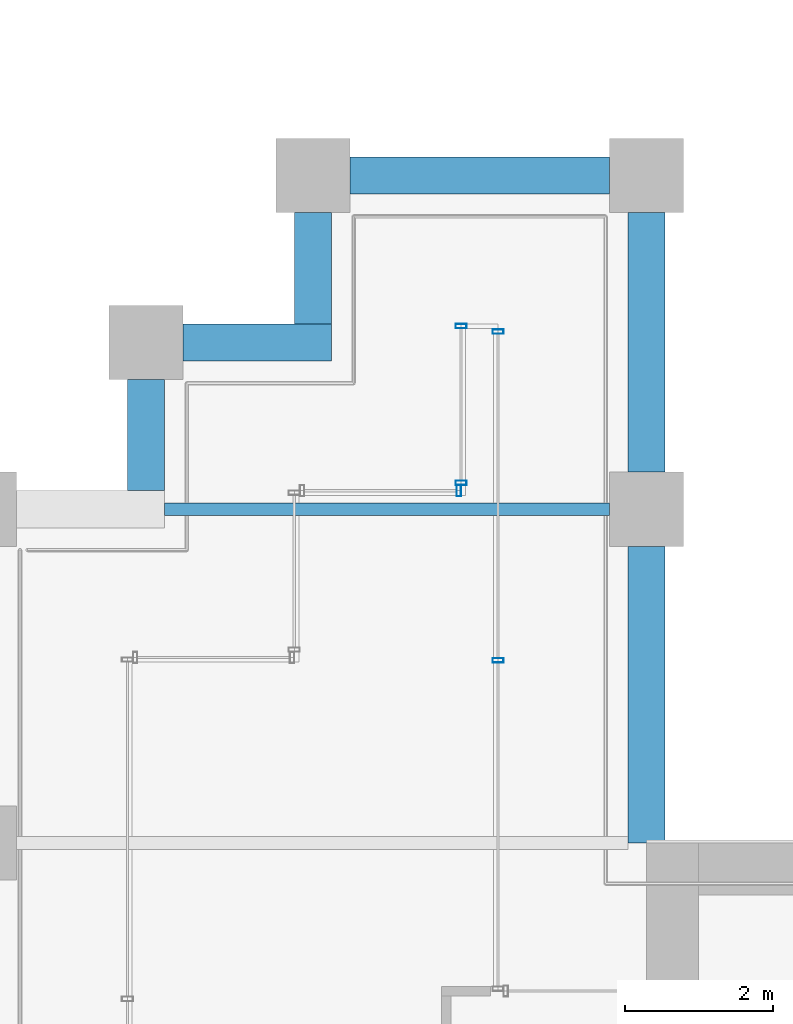
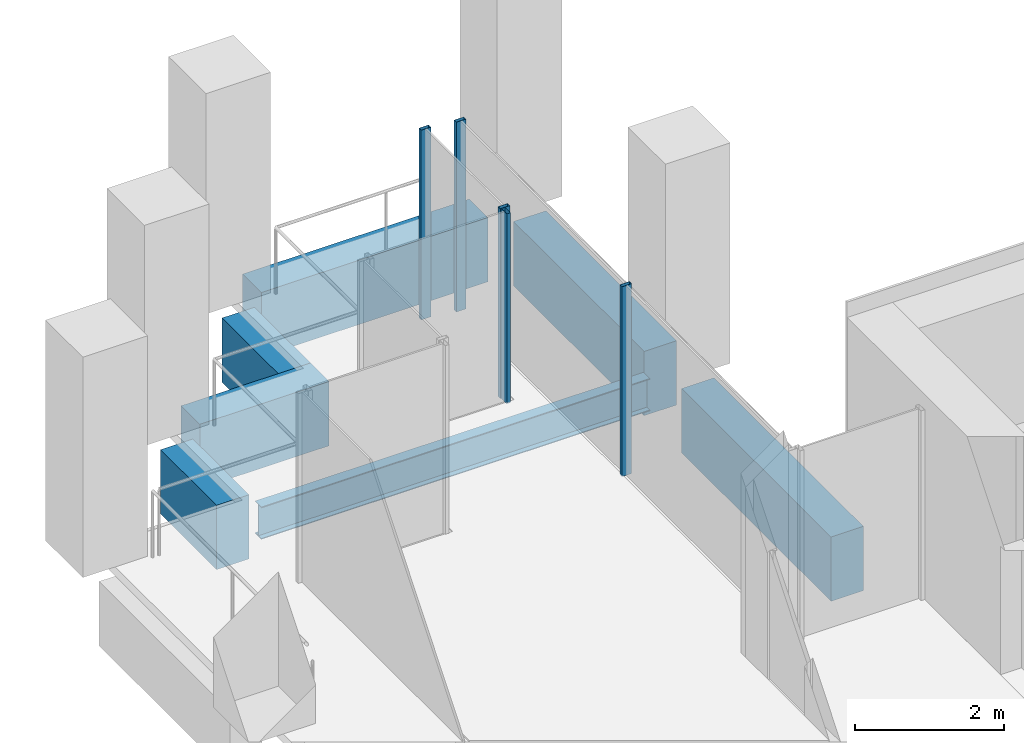
# One storey, part 35 of 47: 7 beams, 5 members, 3 elements without a shape of their own.
"""IFC4 building model written with IfcOpenShell, lengths in metres."""

from ifc_helpers import new_model, si_unit, direction, frame, origin, origin_2d, place, context, subcontext, project, spatial, rectangle, hollow_rectangle, i_section, extrude, material, material_profile, profile_set, type_object, element, aggregate, save


model = new_model("IFC4")

# Units and contexts
model_context = context("Model", 3, precision=1e-05, world=origin(), true_north=direction((0.0, 1.0)))
body_context = subcontext(model_context, "Body", "Model", "MODEL_VIEW")
ifc_project = project(units=[si_unit("LENGTHUNIT", "METRE"), si_unit("AREAUNIT", "SQUARE_METRE"), si_unit("VOLUMEUNIT", "CUBIC_METRE"), si_unit("PLANEANGLEUNIT", "RADIAN"), si_unit("MASSUNIT", "GRAM", prefix="KILO")], contexts=[model_context])

# Site, building, storey
site_placement = place(None, origin())
site = spatial("IfcSite", under=ifc_project, at=site_placement, CompositionType="ELEMENT")
building_placement = place(site_placement, origin())
building = spatial("IfcBuilding", under=site, at=building_placement, Name="Altepetl Exchange Towers", CompositionType="ELEMENT")
storey_placement = place(building_placement, frame((0.0, 0.0, 95.60009765625)))
storey = spatial("IfcBuildingStorey", under=building, at=storey_placement, Name="L23", CompositionType="ELEMENT", Elevation=95.60009765625)

# Beam
ifc_material_1 = material(Name="Steel S355", Category="steel")
ifc_material_profile_1 = material_profile(ifc_material_1, i_section(OverallWidth=0.166015625, OverallDepth=0.529052734375, WebThickness=0.009765625, FlangeThickness=0.013671875, at=origin_2d()), Name="W21X50")
ifc_profile_set_1 = profile_set([ifc_material_profile_1], Name="Steel S355")
beam_type_1 = type_object("IfcBeamType", Name="Floor beam W21X50", PredefinedType="BEAM", material=ifc_profile_set_1)
beam_1_placement = place(storey_placement, frame((97.0, 54.0, -0.41455078125), z_axis=(1.0, 0.0, 0.0), x_axis=(0.0, 1.0, 0.0)))
element("IfcBeam", 1, at=beam_1_placement, inside=storey, type_object=beam_type_1, Name="bm:B:L23:011", PredefinedType="BEAM", context=body_context, shape_type="SweptSolid", body=[
    extrude(i_section(OverallWidth=0.166015625, OverallDepth=0.529052734375, WebThickness=0.009765625, FlangeThickness=0.013671875, at=origin_2d()), origin(), (0.0, 0.0, 1.0), 6.0),
])

# Curtain wall, members
ifc_material_2 = material(Name="Aluminium 6063-T6 glazing", Category="aluminium")
curtain_wall_type = type_object("IfcCurtainWallType", Name="Loggia glazing system", PredefinedType="NOTDEFINED", material=ifc_material_2)
curtain_wall_1_placement = place(storey_placement, origin())
curtain_wall_1 = element("IfcCurtainWall", 2, at=curtain_wall_1_placement, inside=storey, type_object=curtain_wall_type, Name="CW1 run", PredefinedType="NOTDEFINED")
ifc_material_3 = material(Name="Aluminium 6063-T6", Category="aluminium")
ifc_material_profile_2 = material_profile(ifc_material_3, hollow_rectangle(XDim=0.06005859375, YDim=0.14990234375, WallThickness=0.0029296875, at=origin_2d()), Name="Mullion 60x150 aluminium")
ifc_profile_set_2 = profile_set([ifc_material_profile_2], Name="Aluminium 6063-T6")
member_type = type_object("IfcMemberType", Name="Mullion 60x150 aluminium", PredefinedType="MULLION", material=ifc_profile_set_2)
member_1_placement = place(storey_placement, frame((101.5, 51.96240234375, 0.0), z_axis=(0.0, 0.0, 1.0), x_axis=(0.0, 1.0, 0.0)))
member_1 = element("IfcMember", 3, at=member_1_placement, type_object=member_type, Name="MU1 mullion", PredefinedType="MULLION", context=body_context, shape_type="SweptSolid", body=[
    extrude(hollow_rectangle(XDim=0.06005859375, YDim=0.14990234375, WallThickness=0.0029296875, at=origin_2d()), origin(), (0.0, 0.0, 1.0), 3.099853515625),
])
member_2_placement = place(storey_placement, frame((101.5, 56.39501953125, 0.0), z_axis=(0.0, 0.0, 1.0), x_axis=(0.0, 1.0, 0.0)))
member_2 = element("IfcMember", 4, at=member_2_placement, type_object=member_type, Name="MU1 mullion", PredefinedType="MULLION", context=body_context, shape_type="SweptSolid", body=[
    extrude(hollow_rectangle(XDim=0.06005859375, YDim=0.14990234375, WallThickness=0.0029296875, at=origin_2d()), origin(), (0.0, 0.0, 1.0), 3.099853515625),
])
aggregate(curtain_wall_1, [member_1, member_2])

curtain_wall_2_placement = place(storey_placement, origin())
curtain_wall_2 = element("IfcCurtainWall", 5, at=curtain_wall_2_placement, inside=storey, type_object=curtain_wall_type, Name="CW1 run", PredefinedType="NOTDEFINED")
member_3_placement = place(storey_placement, frame((101.0, 56.469970703125, 0.0), z_axis=(0.0, 0.0, 1.0), x_axis=(0.0, -1.0, 0.0)))
member_3 = element("IfcMember", 6, at=member_3_placement, type_object=member_type, Name="MU1 mullion", PredefinedType="MULLION", context=body_context, shape_type="SweptSolid", body=[
    extrude(hollow_rectangle(XDim=0.06005859375, YDim=0.14990234375, WallThickness=0.0029296875, at=origin_2d()), origin(), (0.0, 0.0, 1.0), 3.099853515625),
])
member_4_placement = place(storey_placement, frame((101.0, 54.35498046875, 0.0), z_axis=(0.0, 0.0, 1.0), x_axis=(0.0, -1.0, 0.0)))
member_4 = element("IfcMember", 7, at=member_4_placement, type_object=member_type, Name="MU1 mullion", PredefinedType="MULLION", context=body_context, shape_type="SweptSolid", body=[
    extrude(hollow_rectangle(XDim=0.06005859375, YDim=0.14990234375, WallThickness=0.0029296875, at=origin_2d()), origin(), (0.0, 0.0, 1.0), 3.099853515625),
])
aggregate(curtain_wall_2, [member_3, member_4])

# Curtain wall, member
curtain_wall_3_placement = place(storey_placement, origin())
curtain_wall_3 = element("IfcCurtainWall", 8, at=curtain_wall_3_placement, inside=storey, type_object=curtain_wall_type, Name="CW1 run", PredefinedType="NOTDEFINED")
member_5_placement = place(storey_placement, frame((100.969970703125, 54.25, 0.0), z_axis=(0.0, 0.0, 1.0), x_axis=(-1.0, 0.0, 0.0)))
member_5 = element("IfcMember", 9, at=member_5_placement, type_object=member_type, Name="MU1 mullion", PredefinedType="MULLION", context=body_context, shape_type="SweptSolid", body=[
    extrude(hollow_rectangle(XDim=0.06005859375, YDim=0.14990234375, WallThickness=0.0029296875, at=origin_2d()), origin(), (0.0, 0.0, 1.0), 3.099853515625),
])
aggregate(curtain_wall_3, [member_5])

# Beams
ifc_material_4 = material(Name="Concrete C50/60 precast with cantera rosa facing", Category="concrete")
ifc_material_profile_3 = material_profile(ifc_material_4, rectangle(XDim=0.5, YDim=1.050048828125, at=origin_2d()), Name="500 x 1050")
ifc_profile_set_3 = profile_set([ifc_material_profile_3], Name="Concrete C50/60 precast with cantera rosa facing")
beam_type_2 = type_object("IfcBeamType", Name="Spandrel beam 500x1050 cantera rosa", PredefinedType="SPANDREL", material=ifc_profile_set_3)
beam_2_placement = place(storey_placement, frame((103.5, 49.5, -0.675048828125), z_axis=(0.0, 1.0, 0.0), x_axis=(-1.0, 0.0, 0.0)))
element("IfcBeam", 10, at=beam_2_placement, inside=storey, type_object=beam_type_2, Name="sp:B:L23:015", PredefinedType="SPANDREL", context=body_context, shape_type="SweptSolid", body=[
    extrude(rectangle(XDim=0.5, YDim=1.050048828125, at=origin_2d()), origin(), (0.0, 0.0, 1.0), 4.0),
])
for number, where, z_axis, x_axis, name in (
    (11, (103.5, 54.5, -0.675048828125), (0.0, 1.0, 0.0), (-1.0, 0.0, 0.0), "sp:B:L23:016"),
    (12, (103.0, 58.5, -0.675048828125), (-1.0, 0.0, 0.0), (0.0, -1.0, 0.0), "sp:B:L23:017"),
):
    element("IfcBeam", number, at=place(storey_placement, frame(where, z_axis=z_axis, x_axis=x_axis)), inside=storey, type_object=beam_type_2, Name=name, PredefinedType="SPANDREL", context=body_context, shape_type="SweptSolid", body=[
        extrude(rectangle(XDim=0.5, YDim=1.050048828125, at=origin_2d()), origin(), (0.0, 0.0, 1.0), 3.5),
    ])
beam_3_placement = place(storey_placement, frame((99.0, 58.0, -0.675048828125), z_axis=(0.0, -1.0, 0.0), x_axis=(1.0, 0.0, 0.0)))
element("IfcBeam", 13, at=beam_3_placement, inside=storey, type_object=beam_type_2, Name="sp:B:L23:018", PredefinedType="SPANDREL", context=body_context, shape_type="SweptSolid", body=[
    extrude(rectangle(XDim=0.5, YDim=1.050048828125, at=origin_2d()), origin(), (0.0, 0.0, 1.0), 1.5),
])
beam_4_placement = place(storey_placement, frame((99.25, 56.25, -0.675048828125), z_axis=(-1.0, 0.0, 0.0), x_axis=(0.0, -1.0, 0.0)))
element("IfcBeam", 14, at=beam_4_placement, inside=storey, type_object=beam_type_2, Name="sp:B:L23:019", PredefinedType="SPANDREL", context=body_context, shape_type="SweptSolid", body=[
    extrude(rectangle(XDim=0.5, YDim=1.050048828125, at=origin_2d()), origin(), (0.0, 0.0, 1.0), 2.0),
])
beam_5_placement = place(storey_placement, frame((96.75, 55.75, -0.675048828125), z_axis=(0.0, -1.0, 0.0), x_axis=(1.0, 0.0, 0.0)))
element("IfcBeam", 15, at=beam_5_placement, inside=storey, type_object=beam_type_2, Name="sp:B:L23:020", PredefinedType="SPANDREL", context=body_context, shape_type="SweptSolid", body=[
    extrude(rectangle(XDim=0.5, YDim=1.050048828125, at=origin_2d()), origin(), (0.0, 0.0, 1.0), 1.5),
])

save(model, "model.ifc")
